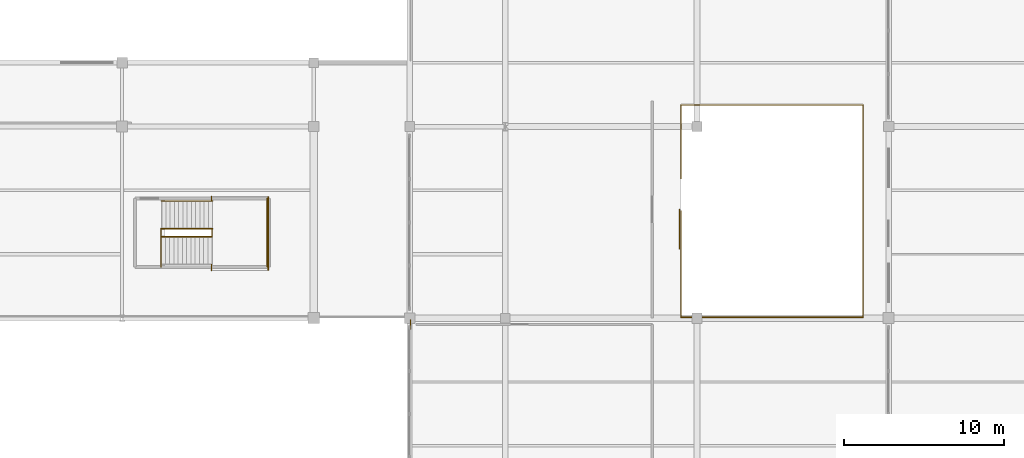
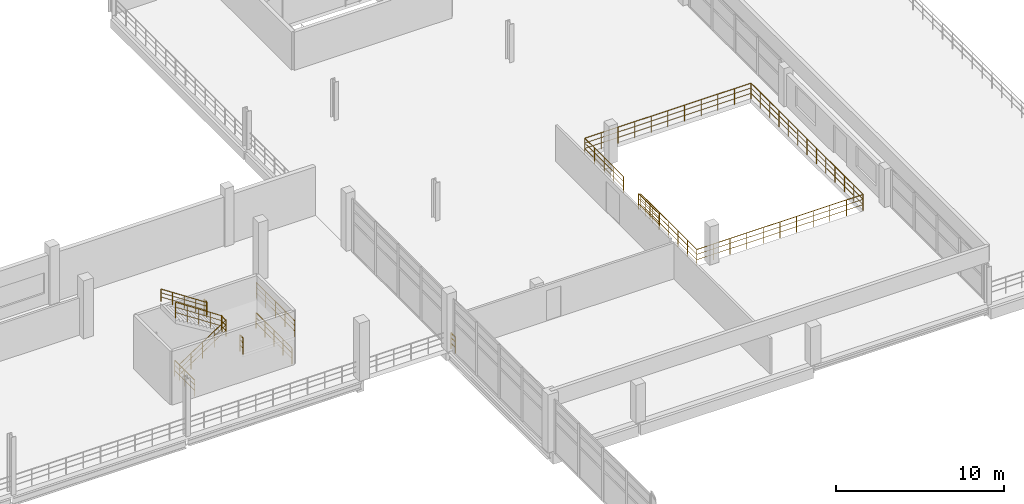
# One storey, part 86 of 89: 16 railings.
"""IFC4 building model written with IfcOpenShell, lengths in metres."""

from ifc_helpers import new_model, si_unit, direction, frame, origin, origin_2d, place, context, subcontext, project, spatial, circle, extrude, material, layer, layer_set, type_object, element, save


model = new_model("IFC4")

# Units and contexts
model_context = context("Model", 3, precision=1e-05, world=origin(), true_north=direction((0.0, 1.0)))
body_context = subcontext(model_context, "Body", "Model", "MODEL_VIEW")
ifc_project = project(units=[si_unit("LENGTHUNIT", "METRE"), si_unit("AREAUNIT", "SQUARE_METRE"), si_unit("VOLUMEUNIT", "CUBIC_METRE"), si_unit("PLANEANGLEUNIT", "RADIAN"), si_unit("MASSUNIT", "GRAM", prefix="KILO"), si_unit("THERMODYNAMICTEMPERATUREUNIT", "KELVIN"), si_unit("POWERUNIT", "WATT")], contexts=[model_context])

# Site, building, storey
site_placement = place(None, origin())
site = spatial("IfcSite", under=ifc_project, at=site_placement, CompositionType="ELEMENT")
building_placement = place(site_placement, origin())
building = spatial("IfcBuilding", under=site, at=building_placement, Name="Solmara Park Aquatics Centre", CompositionType="ELEMENT")
storey_placement = place(building_placement, frame((0.0, 0.0, 5.39990234375)))
storey = spatial("IfcBuildingStorey", under=building, at=storey_placement, Name="L01", CompositionType="ELEMENT", Elevation=5.39990234375)

# Railings
ifc_material_1 = material(Name="Brushed Marine-Grade Stainless Steel 316L Handrail", Category="steel")
ifc_layer_1 = layer(ifc_material_1, 0.044921875, Name="Brushed Marine-Grade Stainless Steel 316L Handrail")
ifc_layer_set_1 = layer_set([ifc_layer_1], Name="Brushed Marine-Grade Stainless Steel 316L Handrail")
railing_type_1 = type_object("IfcRailingType", Name="ARC-RL-HND090", PredefinedType="HANDRAIL", material=ifc_layer_set_1)
railing_1_placement = place(storey_placement, frame((149.659912109375, 43.93994140625, 2.26171875)))
element("IfcRailing", 1, at=railing_1_placement, inside=storey, type_object=railing_type_1, Name="Diving Pavilion Escape Stair ST-09 (L01-L02) Flight 2 Outer Handrail", PredefinedType="HANDRAIL", context=body_context, shape_type="SweptSolid", body=[
    extrude(circle(Radius=0.02392578125, at=origin_2d()), frame((0.0, 0.0, 0.89599609375), z_axis=(-0.834476838559, 0.0, 0.551043016387), x_axis=(0.0, -1.0, 0.0)), (0.0, 0.0, 1.0), 3.810791015625),
    extrude(circle(Radius=0.01416015625, at=origin_2d()), frame((0.0, 0.0, 0.322021484375), z_axis=(-0.834476838559, 0.0, 0.551043016387), x_axis=(0.0, -1.0, 0.0)), (0.0, 0.0, 1.0), 3.810791015625),
    extrude(circle(Radius=0.01416015625, at=origin_2d()), frame((0.0, 0.0, 0.62548828125), z_axis=(-0.834476838559, 0.0, 0.551043016387), x_axis=(0.0, -1.0, 0.0)), (0.0, 0.0, 1.0), 3.810791015625),
    extrude(circle(Radius=0.02099609375, at=origin_2d()), origin(), (0.0, 0.0, 1.0), 0.871826171875),
    extrude(circle(Radius=0.02099609375, at=origin_2d()), frame((-0.794921875, 0.0, 0.52490234375)), (0.0, 0.0, 1.0), 0.871826171875),
    extrude(circle(Radius=0.02099609375, at=origin_2d()), frame((-1.58984375, 0.0, 1.0498046875)), (0.0, 0.0, 1.0), 0.871826171875),
    extrude(circle(Radius=0.02099609375, at=origin_2d()), frame((-2.385009765625, 0.0, 1.574951171875)), (0.0, 0.0, 1.0), 0.871826171875),
    extrude(circle(Radius=0.02099609375, at=origin_2d()), frame((-3.179931640625, 0.0, 2.099853515625)), (0.0, 0.0, 1.0), 0.871826171875),
])
ifc_material_2 = material(Name="Toughened Glass and Stainless Steel Stand Guardrail", Category="steel")
ifc_layer_2 = layer(ifc_material_2, 0.06005859375, Name="Toughened Glass and Stainless Steel Stand Guardrail")
ifc_layer_set_2 = layer_set([ifc_layer_2], Name="Toughened Glass and Stainless Steel Stand Guardrail")
railing_type_2 = type_object("IfcRailingType", Name="ARC-RL-STD110", PredefinedType="GUARDRAIL", material=ifc_layer_set_2)
railing_2_placement = place(storey_placement, frame((179.0, 36.64990234375, 0.0)))
element("IfcRailing", 2, at=railing_2_placement, inside=storey, type_object=railing_type_2, Name="Atrium & Gallery Void Guardrail 18", PredefinedType="GUARDRAIL", context=body_context, shape_type="SweptSolid", body=[
    extrude(circle(Radius=0.02392578125, at=origin_2d()), frame((0.0, 0.0, 1.15576171875), z_axis=(0.0, 1.0, 0.0), x_axis=(-1.0, 0.0, 0.0)), (0.0, 0.0, 1.0), 6.650146484375),
    extrude(circle(Radius=0.01416015625, at=origin_2d()), frame((0.0, 0.0, 0.4130859375), z_axis=(0.0, 1.0, 0.0), x_axis=(-1.0, 0.0, 0.0)), (0.0, 0.0, 1.0), 6.650146484375),
    extrude(circle(Radius=0.01416015625, at=origin_2d()), frame((0.0, 0.0, 0.80224609375), z_axis=(0.0, 1.0, 0.0), x_axis=(-1.0, 0.0, 0.0)), (0.0, 0.0, 1.0), 6.650146484375),
    extrude(circle(Radius=0.02099609375, at=origin_2d()), origin(), (0.0, 0.0, 1.0), 1.1318359375),
    extrude(circle(Radius=0.02099609375, at=origin_2d()), frame((0.0, 1.1083984375, 0.0)), (0.0, 0.0, 1.0), 1.1318359375),
    extrude(circle(Radius=0.02099609375, at=origin_2d()), frame((0.0, 2.216796875, 0.0)), (0.0, 0.0, 1.0), 1.1318359375),
    extrude(circle(Radius=0.02099609375, at=origin_2d()), frame((0.0, 3.3251953125, 0.0)), (0.0, 0.0, 1.0), 1.1318359375),
    extrude(circle(Radius=0.02099609375, at=origin_2d()), frame((0.0, 4.433349609375, 0.0)), (0.0, 0.0, 1.0), 1.1318359375),
    extrude(circle(Radius=0.02099609375, at=origin_2d()), frame((0.0, 5.541748046875, 0.0)), (0.0, 0.0, 1.0), 1.1318359375),
    extrude(circle(Radius=0.02099609375, at=origin_2d()), frame((0.0, 6.650146484375, 0.0)), (0.0, 0.0, 1.0), 1.1318359375),
])
railing_3_placement = place(storey_placement, frame((179.0, 45.35009765625, 0.0)))
element("IfcRailing", 3, at=railing_3_placement, inside=storey, type_object=railing_type_2, Name="Atrium & Gallery Void Guardrail 19", PredefinedType="GUARDRAIL", context=body_context, shape_type="SweptSolid", body=[
    extrude(circle(Radius=0.02392578125, at=origin_2d()), frame((0.0, 0.0, 1.15576171875), z_axis=(0.0, 1.0, 0.0), x_axis=(-1.0, 0.0, 0.0)), (0.0, 0.0, 1.0), 4.599853515625),
    extrude(circle(Radius=0.01416015625, at=origin_2d()), frame((0.0, 0.0, 0.4130859375), z_axis=(0.0, 1.0, 0.0), x_axis=(-1.0, 0.0, 0.0)), (0.0, 0.0, 1.0), 4.599853515625),
    extrude(circle(Radius=0.01416015625, at=origin_2d()), frame((0.0, 0.0, 0.80224609375), z_axis=(0.0, 1.0, 0.0), x_axis=(-1.0, 0.0, 0.0)), (0.0, 0.0, 1.0), 4.599853515625),
    extrude(circle(Radius=0.02099609375, at=origin_2d()), origin(), (0.0, 0.0, 1.0), 1.1318359375),
    extrude(circle(Radius=0.02099609375, at=origin_2d()), frame((0.0, 1.14990234375, 0.0)), (0.0, 0.0, 1.0), 1.1318359375),
    extrude(circle(Radius=0.02099609375, at=origin_2d()), frame((0.0, 2.2998046875, 0.0)), (0.0, 0.0, 1.0), 1.1318359375),
    extrude(circle(Radius=0.02099609375, at=origin_2d()), frame((0.0, 3.449951171875, 0.0)), (0.0, 0.0, 1.0), 1.1318359375),
    extrude(circle(Radius=0.02099609375, at=origin_2d()), frame((0.0, 4.599853515625, 0.0)), (0.0, 0.0, 1.0), 1.1318359375),
])
railing_4_placement = place(storey_placement, frame((190.39990234375, 36.64990234375, 0.0)))
element("IfcRailing", 4, at=railing_4_placement, inside=storey, type_object=railing_type_2, Name="Atrium & Gallery Void Guardrail 20", PredefinedType="GUARDRAIL", context=body_context, shape_type="SweptSolid", body=[
    extrude(circle(Radius=0.02392578125, at=origin_2d()), frame((0.0, 0.0, 1.15576171875), z_axis=(0.0, 1.0, 0.0), x_axis=(-1.0, 0.0, 0.0)), (0.0, 0.0, 1.0), 13.300048828125),
    extrude(circle(Radius=0.01416015625, at=origin_2d()), frame((0.0, 0.0, 0.4130859375), z_axis=(0.0, 1.0, 0.0), x_axis=(-1.0, 0.0, 0.0)), (0.0, 0.0, 1.0), 13.300048828125),
    extrude(circle(Radius=0.01416015625, at=origin_2d()), frame((0.0, 0.0, 0.80224609375), z_axis=(0.0, 1.0, 0.0), x_axis=(-1.0, 0.0, 0.0)), (0.0, 0.0, 1.0), 13.300048828125),
    extrude(circle(Radius=0.02099609375, at=origin_2d()), origin(), (0.0, 0.0, 1.0), 1.1318359375),
    extrude(circle(Radius=0.02099609375, at=origin_2d()), frame((0.0, 1.1083984375, 0.0)), (0.0, 0.0, 1.0), 1.1318359375),
    extrude(circle(Radius=0.02099609375, at=origin_2d()), frame((0.0, 2.216796875, 0.0)), (0.0, 0.0, 1.0), 1.1318359375),
    extrude(circle(Radius=0.02099609375, at=origin_2d()), frame((0.0, 3.324951171875, 0.0)), (0.0, 0.0, 1.0), 1.1318359375),
    extrude(circle(Radius=0.02099609375, at=origin_2d()), frame((0.0, 4.433349609375, 0.0)), (0.0, 0.0, 1.0), 1.1318359375),
    extrude(circle(Radius=0.02099609375, at=origin_2d()), frame((0.0, 5.541748046875, 0.0)), (0.0, 0.0, 1.0), 1.1318359375),
    extrude(circle(Radius=0.02099609375, at=origin_2d()), frame((0.0, 6.64990234375, 0.0)), (0.0, 0.0, 1.0), 1.1318359375),
    extrude(circle(Radius=0.02099609375, at=origin_2d()), frame((0.0, 7.75830078125, 0.0)), (0.0, 0.0, 1.0), 1.1318359375),
    extrude(circle(Radius=0.02099609375, at=origin_2d()), frame((0.0, 8.86669921875, 0.0)), (0.0, 0.0, 1.0), 1.1318359375),
    extrude(circle(Radius=0.02099609375, at=origin_2d()), frame((0.0, 9.97509765625, 0.0)), (0.0, 0.0, 1.0), 1.1318359375),
    extrude(circle(Radius=0.02099609375, at=origin_2d()), frame((0.0, 11.08349609375, 0.0)), (0.0, 0.0, 1.0), 1.1318359375),
    extrude(circle(Radius=0.02099609375, at=origin_2d()), frame((0.0, 12.191650390625, 0.0)), (0.0, 0.0, 1.0), 1.1318359375),
    extrude(circle(Radius=0.02099609375, at=origin_2d()), frame((0.0, 13.300048828125, 0.0)), (0.0, 0.0, 1.0), 1.1318359375),
])
railing_5_placement = place(storey_placement, frame((179.0, 36.64990234375, 0.0)))
element("IfcRailing", 5, at=railing_5_placement, inside=storey, type_object=railing_type_2, Name="Atrium & Gallery Void Guardrail 21", PredefinedType="GUARDRAIL", context=body_context, shape_type="SweptSolid", body=[
    extrude(circle(Radius=0.02392578125, at=origin_2d()), frame((0.0, 0.0, 1.15576171875), z_axis=(1.0, 0.0, 0.0), x_axis=(0.0, 1.0, 0.0)), (0.0, 0.0, 1.0), 11.39990234375),
    extrude(circle(Radius=0.01416015625, at=origin_2d()), frame((0.0, 0.0, 0.4130859375), z_axis=(1.0, 0.0, 0.0), x_axis=(0.0, 1.0, 0.0)), (0.0, 0.0, 1.0), 11.39990234375),
    extrude(circle(Radius=0.01416015625, at=origin_2d()), frame((0.0, 0.0, 0.80224609375), z_axis=(1.0, 0.0, 0.0), x_axis=(0.0, 1.0, 0.0)), (0.0, 0.0, 1.0), 11.39990234375),
    extrude(circle(Radius=0.02099609375, at=origin_2d()), origin(), (0.0, 0.0, 1.0), 1.1318359375),
    extrude(circle(Radius=0.02099609375, at=origin_2d()), frame((1.139892578125, 0.0, 0.0)), (0.0, 0.0, 1.0), 1.1318359375),
    extrude(circle(Radius=0.02099609375, at=origin_2d()), frame((2.280029296875, 0.0, 0.0)), (0.0, 0.0, 1.0), 1.1318359375),
    extrude(circle(Radius=0.02099609375, at=origin_2d()), frame((3.419921875, 0.0, 0.0)), (0.0, 0.0, 1.0), 1.1318359375),
    extrude(circle(Radius=0.02099609375, at=origin_2d()), frame((4.56005859375, 0.0, 0.0)), (0.0, 0.0, 1.0), 1.1318359375),
    extrude(circle(Radius=0.02099609375, at=origin_2d()), frame((5.699951171875, 0.0, 0.0)), (0.0, 0.0, 1.0), 1.1318359375),
    extrude(circle(Radius=0.02099609375, at=origin_2d()), frame((6.83984375, 0.0, 0.0)), (0.0, 0.0, 1.0), 1.1318359375),
    extrude(circle(Radius=0.02099609375, at=origin_2d()), frame((7.97998046875, 0.0, 0.0)), (0.0, 0.0, 1.0), 1.1318359375),
    extrude(circle(Radius=0.02099609375, at=origin_2d()), frame((9.119873046875, 0.0, 0.0)), (0.0, 0.0, 1.0), 1.1318359375),
    extrude(circle(Radius=0.02099609375, at=origin_2d()), frame((10.260009765625, 0.0, 0.0)), (0.0, 0.0, 1.0), 1.1318359375),
    extrude(circle(Radius=0.02099609375, at=origin_2d()), frame((11.39990234375, 0.0, 0.0)), (0.0, 0.0, 1.0), 1.1318359375),
])
railing_6_placement = place(storey_placement, frame((179.0, 49.949951171875, 0.0)))
element("IfcRailing", 6, at=railing_6_placement, inside=storey, type_object=railing_type_2, Name="Atrium & Gallery Void Guardrail 22", PredefinedType="GUARDRAIL", context=body_context, shape_type="SweptSolid", body=[
    extrude(circle(Radius=0.02392578125, at=origin_2d()), frame((0.0, 0.0, 1.15576171875), z_axis=(1.0, 0.0, 0.0), x_axis=(0.0, 1.0, 0.0)), (0.0, 0.0, 1.0), 11.39990234375),
    extrude(circle(Radius=0.01416015625, at=origin_2d()), frame((0.0, 0.0, 0.4130859375), z_axis=(1.0, 0.0, 0.0), x_axis=(0.0, 1.0, 0.0)), (0.0, 0.0, 1.0), 11.39990234375),
    extrude(circle(Radius=0.01416015625, at=origin_2d()), frame((0.0, 0.0, 0.80224609375), z_axis=(1.0, 0.0, 0.0), x_axis=(0.0, 1.0, 0.0)), (0.0, 0.0, 1.0), 11.39990234375),
    extrude(circle(Radius=0.02099609375, at=origin_2d()), origin(), (0.0, 0.0, 1.0), 1.1318359375),
    extrude(circle(Radius=0.02099609375, at=origin_2d()), frame((1.139892578125, 0.0, 0.0)), (0.0, 0.0, 1.0), 1.1318359375),
    extrude(circle(Radius=0.02099609375, at=origin_2d()), frame((2.280029296875, 0.0, 0.0)), (0.0, 0.0, 1.0), 1.1318359375),
    extrude(circle(Radius=0.02099609375, at=origin_2d()), frame((3.419921875, 0.0, 0.0)), (0.0, 0.0, 1.0), 1.1318359375),
    extrude(circle(Radius=0.02099609375, at=origin_2d()), frame((4.56005859375, 0.0, 0.0)), (0.0, 0.0, 1.0), 1.1318359375),
    extrude(circle(Radius=0.02099609375, at=origin_2d()), frame((5.699951171875, 0.0, 0.0)), (0.0, 0.0, 1.0), 1.1318359375),
    extrude(circle(Radius=0.02099609375, at=origin_2d()), frame((6.83984375, 0.0, 0.0)), (0.0, 0.0, 1.0), 1.1318359375),
    extrude(circle(Radius=0.02099609375, at=origin_2d()), frame((7.97998046875, 0.0, 0.0)), (0.0, 0.0, 1.0), 1.1318359375),
    extrude(circle(Radius=0.02099609375, at=origin_2d()), frame((9.119873046875, 0.0, 0.0)), (0.0, 0.0, 1.0), 1.1318359375),
    extrude(circle(Radius=0.02099609375, at=origin_2d()), frame((10.260009765625, 0.0, 0.0)), (0.0, 0.0, 1.0), 1.1318359375),
    extrude(circle(Radius=0.02099609375, at=origin_2d()), frame((11.39990234375, 0.0, 0.0)), (0.0, 0.0, 1.0), 1.1318359375),
])
railing_7_placement = place(storey_placement, frame((162.06005859375, 35.93994140625, 0.0)))
element("IfcRailing", 7, at=railing_7_placement, inside=storey, type_object=railing_type_2, Name="L01 Slab Edge Guardrail 048", PredefinedType="GUARDRAIL", context=body_context, shape_type="SweptSolid", body=[
    extrude(circle(Radius=0.02392578125, at=origin_2d()), frame((0.0, 0.0, 1.15576171875), z_axis=(0.0, 1.0, 0.0), x_axis=(-1.0, 0.0, 0.0)), (0.0, 0.0, 1.0), 0.53369140625),
    extrude(circle(Radius=0.01416015625, at=origin_2d()), frame((0.0, 0.0, 0.4130859375), z_axis=(0.0, 1.0, 0.0), x_axis=(-1.0, 0.0, 0.0)), (0.0, 0.0, 1.0), 0.53369140625),
    extrude(circle(Radius=0.01416015625, at=origin_2d()), frame((0.0, 0.0, 0.80224609375), z_axis=(0.0, 1.0, 0.0), x_axis=(-1.0, 0.0, 0.0)), (0.0, 0.0, 1.0), 0.53369140625),
    extrude(circle(Radius=0.02099609375, at=origin_2d()), origin(), (0.0, 0.0, 1.0), 1.1318359375),
    extrude(circle(Radius=0.02099609375, at=origin_2d()), frame((0.0, 0.53369140625, 0.0)), (0.0, 0.0, 1.0), 1.1318359375),
])
ifc_material_3 = material(Name="Brushed Stainless Steel Guardrail", Category="steel")
ifc_layer_3 = layer(ifc_material_3, 0.050048828125, Name="Brushed Stainless Steel Guardrail")
ifc_layer_set_3 = layer_set([ifc_layer_3], Name="Brushed Stainless Steel Guardrail")
railing_type_3 = type_object("IfcRailingType", Name="ARC-RL-STR110", PredefinedType="GUARDRAIL", material=ifc_layer_set_3)
railing_8_placement = place(storey_placement, frame((146.429931640625, 39.820068359375, 0.0)))
element("IfcRailing", 8, at=railing_8_placement, inside=storey, type_object=railing_type_3, Name="Diving Pavilion Escape Stair ST-09 (L00-L01) Arrival Well Guardrail", PredefinedType="GUARDRAIL", context=body_context, shape_type="SweptSolid", body=[
    extrude(circle(Radius=0.02392578125, at=origin_2d()), frame((0.0, 0.0, 1.15576171875), z_axis=(0.0, 1.0, 0.0), x_axis=(-1.0, 0.0, 0.0)), (0.0, 0.0, 1.0), 2.39990234375),
    extrude(circle(Radius=0.01416015625, at=origin_2d()), frame((0.0, 0.0, 0.4130859375), z_axis=(0.0, 1.0, 0.0), x_axis=(-1.0, 0.0, 0.0)), (0.0, 0.0, 1.0), 2.39990234375),
    extrude(circle(Radius=0.01416015625, at=origin_2d()), frame((0.0, 0.0, 0.80224609375), z_axis=(0.0, 1.0, 0.0), x_axis=(-1.0, 0.0, 0.0)), (0.0, 0.0, 1.0), 2.39990234375),
    extrude(circle(Radius=0.02099609375, at=origin_2d()), origin(), (0.0, 0.0, 1.0), 1.1318359375),
    extrude(circle(Radius=0.02099609375, at=origin_2d()), frame((0.0, 1.199951171875, 0.0)), (0.0, 0.0, 1.0), 1.1318359375),
    extrude(circle(Radius=0.02099609375, at=origin_2d()), frame((0.0, 2.39990234375, 0.0)), (0.0, 0.0, 1.0), 1.1318359375),
])
railing_9_placement = place(storey_placement, frame((153.080078125, 39.820068359375, 0.0)))
element("IfcRailing", 9, at=railing_9_placement, inside=storey, type_object=railing_type_3, Name="Diving Pavilion Escape Stair ST-09 (L00-L01) Far Well Edge Guardrail", PredefinedType="GUARDRAIL", context=body_context, shape_type="SweptSolid", body=[
    extrude(circle(Radius=0.02392578125, at=origin_2d()), frame((0.0, 0.0, 1.15576171875), z_axis=(0.0, 1.0, 0.0), x_axis=(-1.0, 0.0, 0.0)), (0.0, 0.0, 1.0), 4.260009765625),
    extrude(circle(Radius=0.01416015625, at=origin_2d()), frame((0.0, 0.0, 0.4130859375), z_axis=(0.0, 1.0, 0.0), x_axis=(-1.0, 0.0, 0.0)), (0.0, 0.0, 1.0), 4.260009765625),
    extrude(circle(Radius=0.01416015625, at=origin_2d()), frame((0.0, 0.0, 0.80224609375), z_axis=(0.0, 1.0, 0.0), x_axis=(-1.0, 0.0, 0.0)), (0.0, 0.0, 1.0), 4.260009765625),
    extrude(circle(Radius=0.02099609375, at=origin_2d()), origin(), (0.0, 0.0, 1.0), 1.1318359375),
    extrude(circle(Radius=0.02099609375, at=origin_2d()), frame((0.0, 1.06494140625, 0.0)), (0.0, 0.0, 1.0), 1.1318359375),
    extrude(circle(Radius=0.02099609375, at=origin_2d()), frame((0.0, 2.1298828125, 0.0)), (0.0, 0.0, 1.0), 1.1318359375),
    extrude(circle(Radius=0.02099609375, at=origin_2d()), frame((0.0, 3.195068359375, 0.0)), (0.0, 0.0, 1.0), 1.1318359375),
    extrude(circle(Radius=0.02099609375, at=origin_2d()), frame((0.0, 4.260009765625, 0.0)), (0.0, 0.0, 1.0), 1.1318359375),
])
railing_10_placement = place(storey_placement, frame((146.449951171875, 41.699951171875, 0.0)))
element("IfcRailing", 10, at=railing_10_placement, inside=storey, type_object=railing_type_3, Name="Diving Pavilion Escape Stair ST-09 (L01-L02) Flight 1 Inner Guardrail", PredefinedType="GUARDRAIL", context=body_context, shape_type="SweptSolid", body=[
    extrude(circle(Radius=0.02392578125, at=origin_2d()), frame((0.0, 0.0, 1.15576171875), z_axis=(0.834447378162, 0.0, 0.551087627405), x_axis=(0.0, 1.0, 0.0)), (0.0, 0.0, 1.0), 3.810791015625),
    extrude(circle(Radius=0.01416015625, at=origin_2d()), frame((0.0, 0.0, 0.4130859375), z_axis=(0.834447378162, 0.0, 0.551087627405), x_axis=(0.0, 1.0, 0.0)), (0.0, 0.0, 1.0), 3.810791015625),
    extrude(circle(Radius=0.01416015625, at=origin_2d()), frame((0.0, 0.0, 0.80224609375), z_axis=(0.834447378162, 0.0, 0.551087627405), x_axis=(0.0, 1.0, 0.0)), (0.0, 0.0, 1.0), 3.810791015625),
    extrude(circle(Radius=0.02099609375, at=origin_2d()), origin(), (0.0, 0.0, 1.0), 1.1318359375),
    extrude(circle(Radius=0.02099609375, at=origin_2d()), frame((0.794921875, 0.0, 0.52490234375)), (0.0, 0.0, 1.0), 1.1318359375),
    extrude(circle(Radius=0.02099609375, at=origin_2d()), frame((1.58984375, 0.0, 1.050048828125)), (0.0, 0.0, 1.0), 1.1318359375),
    extrude(circle(Radius=0.02099609375, at=origin_2d()), frame((2.385009765625, 0.0, 1.5751953125)), (0.0, 0.0, 1.0), 1.1318359375),
    extrude(circle(Radius=0.02099609375, at=origin_2d()), frame((3.179931640625, 0.0, 2.10009765625)), (0.0, 0.0, 1.0), 1.1318359375),
])
railing_11_placement = place(storey_placement, frame((149.659912109375, 42.199951171875, 2.10009765625)))
element("IfcRailing", 11, at=railing_11_placement, inside=storey, type_object=railing_type_3, Name="Diving Pavilion Escape Stair ST-09 (L01-L02) Flight 2 Inner Guardrail", PredefinedType="GUARDRAIL", context=body_context, shape_type="SweptSolid", body=[
    extrude(circle(Radius=0.02392578125, at=origin_2d()), frame((0.0, 0.0, 1.15576171875), z_axis=(-0.834447378162, 0.0, 0.551087627405), x_axis=(0.0, -1.0, 0.0)), (0.0, 0.0, 1.0), 3.810791015625),
    extrude(circle(Radius=0.01416015625, at=origin_2d()), frame((0.0, 0.0, 0.4130859375), z_axis=(-0.834447378162, 0.0, 0.551087627405), x_axis=(0.0, -1.0, 0.0)), (0.0, 0.0, 1.0), 3.810791015625),
    extrude(circle(Radius=0.01416015625, at=origin_2d()), frame((0.0, 0.0, 0.80224609375), z_axis=(-0.834447378162, 0.0, 0.551087627405), x_axis=(0.0, -1.0, 0.0)), (0.0, 0.0, 1.0), 3.810791015625),
    extrude(circle(Radius=0.02099609375, at=origin_2d()), origin(), (0.0, 0.0, 1.0), 1.1318359375),
    extrude(circle(Radius=0.02099609375, at=origin_2d()), frame((-0.794921875, 0.0, 0.52490234375)), (0.0, 0.0, 1.0), 1.1318359375),
    extrude(circle(Radius=0.02099609375, at=origin_2d()), frame((-1.58984375, 0.0, 1.050048828125)), (0.0, 0.0, 1.0), 1.1318359375),
    extrude(circle(Radius=0.02099609375, at=origin_2d()), frame((-2.385009765625, 0.0, 1.5751953125)), (0.0, 0.0, 1.0), 1.1318359375),
    extrude(circle(Radius=0.02099609375, at=origin_2d()), frame((-3.179931640625, 0.0, 2.10009765625)), (0.0, 0.0, 1.0), 1.1318359375),
])
railing_12_placement = place(storey_placement, frame((149.6298828125, 41.679931640625, 2.10009765625)))
element("IfcRailing", 12, at=railing_12_placement, inside=storey, type_object=railing_type_3, Name="Diving Pavilion Escape Stair ST-09 (L01-L02) Half-Landing Well Guardrail", PredefinedType="GUARDRAIL", context=body_context, shape_type="SweptSolid", body=[
    extrude(circle(Radius=0.02392578125, at=origin_2d()), frame((0.0, 0.0, 1.15576171875), z_axis=(0.0, 1.0, 0.0), x_axis=(-1.0, 0.0, 0.0)), (0.0, 0.0, 1.0), 0.5400390625),
    extrude(circle(Radius=0.01416015625, at=origin_2d()), frame((0.0, 0.0, 0.4130859375), z_axis=(0.0, 1.0, 0.0), x_axis=(-1.0, 0.0, 0.0)), (0.0, 0.0, 1.0), 0.5400390625),
    extrude(circle(Radius=0.01416015625, at=origin_2d()), frame((0.0, 0.0, 0.80224609375), z_axis=(0.0, 1.0, 0.0), x_axis=(-1.0, 0.0, 0.0)), (0.0, 0.0, 1.0), 0.5400390625),
    extrude(circle(Radius=0.02099609375, at=origin_2d()), origin(), (0.0, 0.0, 1.0), 1.1318359375),
    extrude(circle(Radius=0.02099609375, at=origin_2d()), frame((0.0, 0.5400390625, 0.0)), (0.0, 0.0, 1.0), 1.1318359375),
])
railing_13_placement = place(storey_placement, frame((149.60009765625, 39.590087890625, 2.10009765625)))
element("IfcRailing", 13, at=railing_13_placement, inside=storey, type_object=railing_type_3, Name="Diving Pavilion Escape Stair ST-09 (L01-L02) Half-Landing South Slot Guardrail", PredefinedType="GUARDRAIL", context=body_context, shape_type="SweptSolid", body=[
    extrude(circle(Radius=0.02392578125, at=origin_2d()), frame((0.0, 0.0, 1.15576171875), z_axis=(0.0, 1.0, 0.0), x_axis=(-1.0, 0.0, 0.0)), (0.0, 0.0, 1.0), 0.35986328125),
    extrude(circle(Radius=0.01416015625, at=origin_2d()), frame((0.0, 0.0, 0.4130859375), z_axis=(0.0, 1.0, 0.0), x_axis=(-1.0, 0.0, 0.0)), (0.0, 0.0, 1.0), 0.35986328125),
    extrude(circle(Radius=0.01416015625, at=origin_2d()), frame((0.0, 0.0, 0.80224609375), z_axis=(0.0, 1.0, 0.0), x_axis=(-1.0, 0.0, 0.0)), (0.0, 0.0, 1.0), 0.35986328125),
    extrude(circle(Radius=0.02099609375, at=origin_2d()), origin(), (0.0, 0.0, 1.0), 1.1318359375),
    extrude(circle(Radius=0.02099609375, at=origin_2d()), frame((0.0, 0.35986328125, 0.0)), (0.0, 0.0, 1.0), 1.1318359375),
])
railing_14_placement = place(storey_placement, frame((149.60009765625, 43.949951171875, 2.10009765625)))
element("IfcRailing", 14, at=railing_14_placement, inside=storey, type_object=railing_type_3, Name="Diving Pavilion Escape Stair ST-09 (L01-L02) Half-Landing North Slot Guardrail", PredefinedType="GUARDRAIL", context=body_context, shape_type="SweptSolid", body=[
    extrude(circle(Radius=0.02392578125, at=origin_2d()), frame((0.0, 0.0, 1.15576171875), z_axis=(0.0, 1.0, 0.0), x_axis=(-1.0, 0.0, 0.0)), (0.0, 0.0, 1.0), 0.260009765625),
    extrude(circle(Radius=0.01416015625, at=origin_2d()), frame((0.0, 0.0, 0.4130859375), z_axis=(0.0, 1.0, 0.0), x_axis=(-1.0, 0.0, 0.0)), (0.0, 0.0, 1.0), 0.260009765625),
    extrude(circle(Radius=0.01416015625, at=origin_2d()), frame((0.0, 0.0, 0.80224609375), z_axis=(0.0, 1.0, 0.0), x_axis=(-1.0, 0.0, 0.0)), (0.0, 0.0, 1.0), 0.260009765625),
    extrude(circle(Radius=0.02099609375, at=origin_2d()), origin(), (0.0, 0.0, 1.0), 1.1318359375),
    extrude(circle(Radius=0.02099609375, at=origin_2d()), frame((0.0, 0.260009765625, 0.0)), (0.0, 0.0, 1.0), 1.1318359375),
])
railing_15_placement = place(storey_placement, frame((153.14990234375, 39.610107421875, 2.10009765625)))
element("IfcRailing", 15, at=railing_15_placement, inside=storey, type_object=railing_type_3, Name="Diving Pavilion Escape Stair ST-09 (L01-L02) Half-Landing Outer Guardrail", PredefinedType="GUARDRAIL", context=body_context, shape_type="SweptSolid", body=[
    extrude(circle(Radius=0.02392578125, at=origin_2d()), frame((0.0, 0.0, 1.15576171875), z_axis=(0.0, 1.0, 0.0), x_axis=(-1.0, 0.0, 0.0)), (0.0, 0.0, 1.0), 4.579833984375),
    extrude(circle(Radius=0.01416015625, at=origin_2d()), frame((0.0, 0.0, 0.4130859375), z_axis=(0.0, 1.0, 0.0), x_axis=(-1.0, 0.0, 0.0)), (0.0, 0.0, 1.0), 4.579833984375),
    extrude(circle(Radius=0.01416015625, at=origin_2d()), frame((0.0, 0.0, 0.80224609375), z_axis=(0.0, 1.0, 0.0), x_axis=(-1.0, 0.0, 0.0)), (0.0, 0.0, 1.0), 4.579833984375),
    extrude(circle(Radius=0.02099609375, at=origin_2d()), origin(), (0.0, 0.0, 1.0), 1.1318359375),
    extrude(circle(Radius=0.02099609375, at=origin_2d()), frame((0.0, 1.14501953125, 0.0)), (0.0, 0.0, 1.0), 1.1318359375),
    extrude(circle(Radius=0.02099609375, at=origin_2d()), frame((0.0, 2.2900390625, 0.0)), (0.0, 0.0, 1.0), 1.1318359375),
    extrude(circle(Radius=0.02099609375, at=origin_2d()), frame((0.0, 3.434814453125, 0.0)), (0.0, 0.0, 1.0), 1.1318359375),
    extrude(circle(Radius=0.02099609375, at=origin_2d()), frame((0.0, 4.579833984375, 0.0)), (0.0, 0.0, 1.0), 1.1318359375),
])
railing_16_placement = place(storey_placement, frame((178.89990234375, 40.949951171875, 0.0)))
element("IfcRailing", 16, at=railing_16_placement, inside=storey, type_object=railing_type_3, Name="Monumental Foyer Stair ST-06 Arrival Well Guardrail", PredefinedType="GUARDRAIL", context=body_context, shape_type="SweptSolid", body=[
    extrude(circle(Radius=0.02392578125, at=origin_2d()), frame((0.0, 0.0, 1.15576171875), z_axis=(0.0, 1.0, 0.0), x_axis=(-1.0, 0.0, 0.0)), (0.0, 0.0, 1.0), 2.43994140625),
    extrude(circle(Radius=0.01416015625, at=origin_2d()), frame((0.0, 0.0, 0.4130859375), z_axis=(0.0, 1.0, 0.0), x_axis=(-1.0, 0.0, 0.0)), (0.0, 0.0, 1.0), 2.43994140625),
    extrude(circle(Radius=0.01416015625, at=origin_2d()), frame((0.0, 0.0, 0.80224609375), z_axis=(0.0, 1.0, 0.0), x_axis=(-1.0, 0.0, 0.0)), (0.0, 0.0, 1.0), 2.43994140625),
    extrude(circle(Radius=0.02099609375, at=origin_2d()), origin(), (0.0, 0.0, 1.0), 1.1318359375),
    extrude(circle(Radius=0.02099609375, at=origin_2d()), frame((0.0, 0.813232421875, 0.0)), (0.0, 0.0, 1.0), 1.1318359375),
    extrude(circle(Radius=0.02099609375, at=origin_2d()), frame((0.0, 1.626708984375, 0.0)), (0.0, 0.0, 1.0), 1.1318359375),
    extrude(circle(Radius=0.02099609375, at=origin_2d()), frame((0.0, 2.43994140625, 0.0)), (0.0, 0.0, 1.0), 1.1318359375),
])

save(model, "model.ifc")
